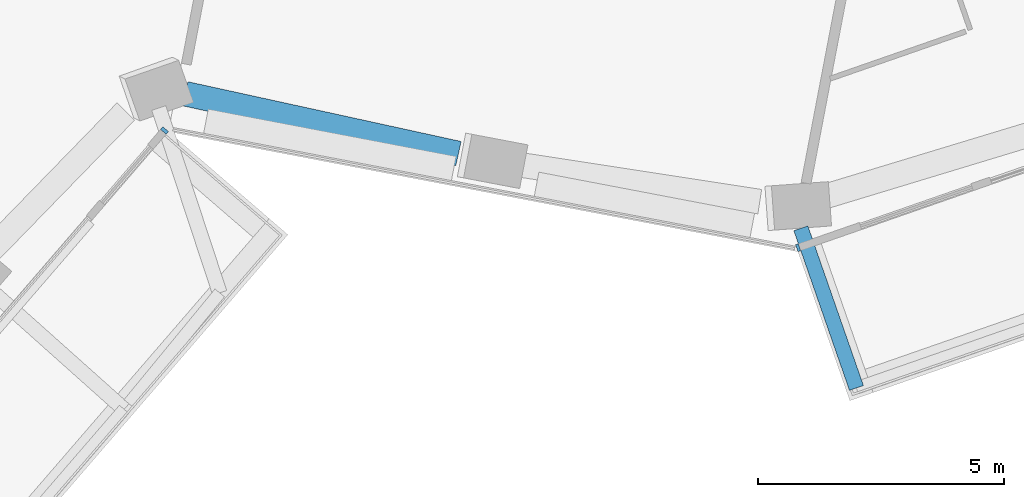
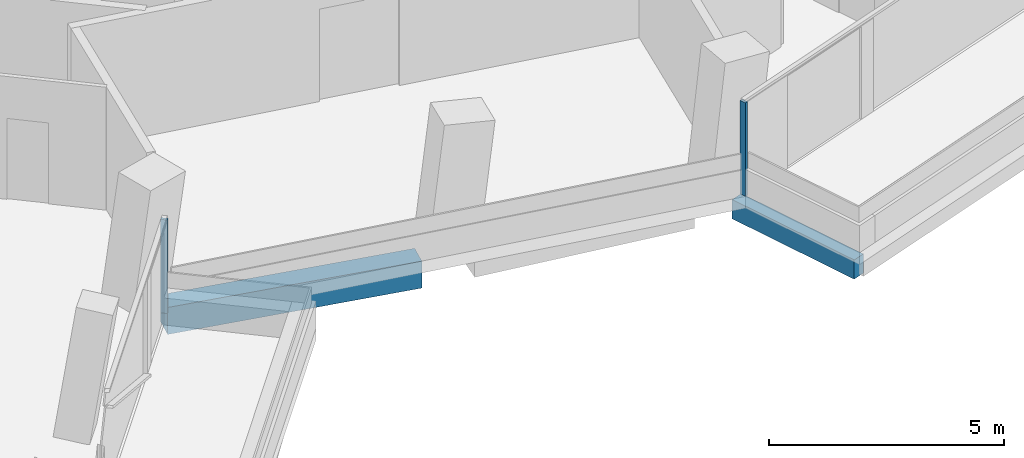
# One storey, part 3 of 23: 2 beams, 2 members, 2 elements without a shape of their own.
"""IFC4 building model written with IfcOpenShell, lengths in metres."""

from ifc_helpers import new_model, si_unit, direction, frame, origin, origin_2d, place, context, subcontext, project, spatial, rectangle, extrude, material, layer, layer_set, material_profile, profile_set, type_object, element, aggregate, save


model = new_model("IFC4")

# Units and contexts
model_context = context("Model", 3, precision=1e-05, world=origin(), true_north=direction((0.0, 1.0)))
body_context = subcontext(model_context, "Body", "Model", "MODEL_VIEW")
ifc_project = project(units=[si_unit("LENGTHUNIT", "METRE"), si_unit("AREAUNIT", "SQUARE_METRE"), si_unit("VOLUMEUNIT", "CUBIC_METRE"), si_unit("PLANEANGLEUNIT", "RADIAN"), si_unit("MASSUNIT", "GRAM", prefix="KILO")], contexts=[model_context])

# Site, building, storey
site_placement = place(None, origin())
site = spatial("IfcSite", under=ifc_project, at=site_placement, CompositionType="ELEMENT")
building_placement = place(site_placement, origin())
building = spatial("IfcBuilding", under=site, at=building_placement, Name="Verdalira Terraces Hotel", CompositionType="ELEMENT")
storey_placement = place(building_placement, frame((0.0, 0.0, 111.5)))
storey = spatial("IfcBuildingStorey", under=building, at=storey_placement, Name="L26", CompositionType="ELEMENT", Elevation=111.5)

# Beam
ifc_material_1 = material(Name="Concrete C40", Category="concrete")
ifc_material_profile_1 = material_profile(ifc_material_1, rectangle(XDim=0.300049, YDim=0.5, at=origin_2d()), Name="RC 300X500")
ifc_profile_set_1 = profile_set([ifc_material_profile_1], Name="Concrete C40")
beam_type_1 = type_object("IfcBeamType", Name="Balcony cantilever beam RC 300X500 C40", PredefinedType="BEAM", material=ifc_profile_set_1)
beam_1_placement = place(storey_placement, frame((1.897949, -24.571533, -0.560059), z_axis=(0.32882157, -0.944392066, 0.0), x_axis=(0.944392066, 0.32882157, 0.0)))
element("IfcBeam", 1, at=beam_1_placement, inside=storey, type_object=beam_type_1, Name="Balcony cantilever beam R26-1", PredefinedType="BEAM", context=body_context, shape_type="SweptSolid", body=[
    extrude(rectangle(XDim=0.300049, YDim=0.5, at=origin_2d()), origin(), (0.0, 0.0, 1.0), 3.429443),
])

# Curtain wall, member
ifc_material_2 = material(Name="Clear glass", Category="glass")
ifc_layer_1 = layer(ifc_material_2, 0.14990234375)
ifc_layer_set_1 = layer_set([ifc_layer_1], Name="CW1 curtain wall")
curtain_wall_type_1 = type_object("IfcCurtainWallType", Name="CW1 curtain wall", PredefinedType="NOTDEFINED", material=ifc_layer_set_1)
curtain_wall_1_placement = place(storey_placement, origin())
curtain_wall_1 = element("IfcCurtainWall", 2, at=curtain_wall_1_placement, inside=storey, type_object=curtain_wall_type_1, Name="CW1 curtain wall L26 edge 26", PredefinedType="NOTDEFINED")
ifc_material_3 = material(Name="Terracotta frame", Category="masonry")
ifc_material_profile_2 = material_profile(ifc_material_3, rectangle(XDim=0.060059, YDim=0.149902, at=origin_2d()), Name="MU 60x150")
ifc_profile_set_2 = profile_set([ifc_material_profile_2], Name="Terracotta frame")
member_type_1 = type_object("IfcMemberType", Name="CW1 mullion 60x150", PredefinedType="MULLION", material=ifc_profile_set_2)
member_1_placement = place(storey_placement, frame((1.843018, -24.96582, 0.0), z_axis=(0.0, 0.0, 1.0), x_axis=(0.94437637, 0.328866647, 0.0)))
member_1 = element("IfcMember", 3, at=member_1_placement, type_object=member_type_1, Name="CW1 mullion", PredefinedType="MULLION", context=body_context, shape_type="SweptSolid", body=[
    extrude(rectangle(XDim=0.060059, YDim=0.149902, at=origin_2d()), origin(), (0.0, 0.0, 1.0), 2.425049),
])
aggregate(curtain_wall_1, [member_1])

ifc_material_4 = material(Name="Clear glass", Category="glass")
ifc_layer_2 = layer(ifc_material_4, 0.14990234375)
ifc_layer_set_2 = layer_set([ifc_layer_2], Name="CW2 curtain wall")
curtain_wall_type_2 = type_object("IfcCurtainWallType", Name="CW2 curtain wall", PredefinedType="NOTDEFINED", material=ifc_layer_set_2)
curtain_wall_2_placement = place(storey_placement, origin())
curtain_wall_2 = element("IfcCurtainWall", 4, at=curtain_wall_2_placement, inside=storey, type_object=curtain_wall_type_2, Name="CW2 curtain wall L26 edge 24", PredefinedType="NOTDEFINED")
ifc_material_5 = material(Name="Terracotta frame", Category="masonry")
ifc_material_profile_3 = material_profile(ifc_material_5, rectangle(XDim=0.070068, YDim=0.149902, at=origin_2d()), Name="MU 70x150")
ifc_profile_set_3 = profile_set([ifc_material_profile_3], Name="Terracotta frame")
member_type_2 = type_object("IfcMemberType", Name="CW2 mullion 70x150", PredefinedType="MULLION", material=ifc_profile_set_3)
member_2_placement = place(storey_placement, frame((-11.01001, -22.588135, 0.0), z_axis=(0.0, 0.0, 1.0), x_axis=(0.653420604, 0.756995056, 0.0)))
member_2 = element("IfcMember", 5, at=member_2_placement, type_object=member_type_2, Name="CW2 mullion", PredefinedType="MULLION", context=body_context, shape_type="SweptSolid", body=[
    extrude(rectangle(XDim=0.070068, YDim=0.149902, at=origin_2d()), origin(), (0.0, 0.0, 1.0), 2.425049),
])
aggregate(curtain_wall_2, [member_2])

# Beam
ifc_material_6 = material(Name="Concrete C70", Category="concrete")
ifc_material_profile_4 = material_profile(ifc_material_6, rectangle(XDim=0.5, YDim=0.699951, at=origin_2d()), Name="RC 500X700")
ifc_profile_set_4 = profile_set([ifc_material_profile_4], Name="Concrete C70")
beam_type_2 = type_object("IfcBeamType", Name="Spandrel beam RC 500X700 C70", PredefinedType="SPANDREL", material=ifc_profile_set_4)
beam_2_placement = place(storey_placement, frame((-10.587646, -21.843018, -0.659912), z_axis=(0.976904791, -0.213675055, 0.0), x_axis=(0.213675055, 0.976904791, 0.0)))
element("IfcBeam", 6, at=beam_2_placement, inside=storey, type_object=beam_type_2, Name="Spandrel beam B15", PredefinedType="SPANDREL", context=body_context, shape_type="SweptSolid", body=[
    extrude(rectangle(XDim=0.5, YDim=0.699951, at=origin_2d()), origin(), (0.0, 0.0, 1.0), 5.671875),
])

save(model, "model.ifc")
